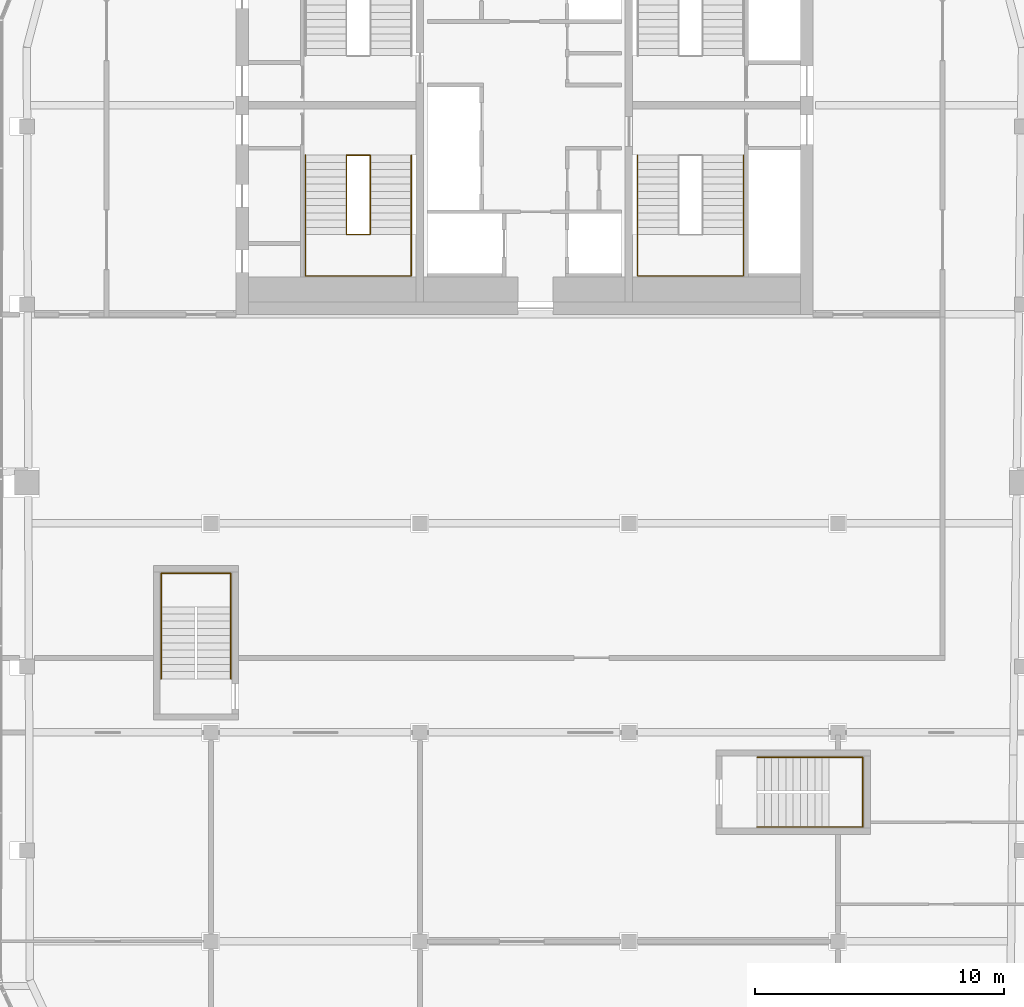
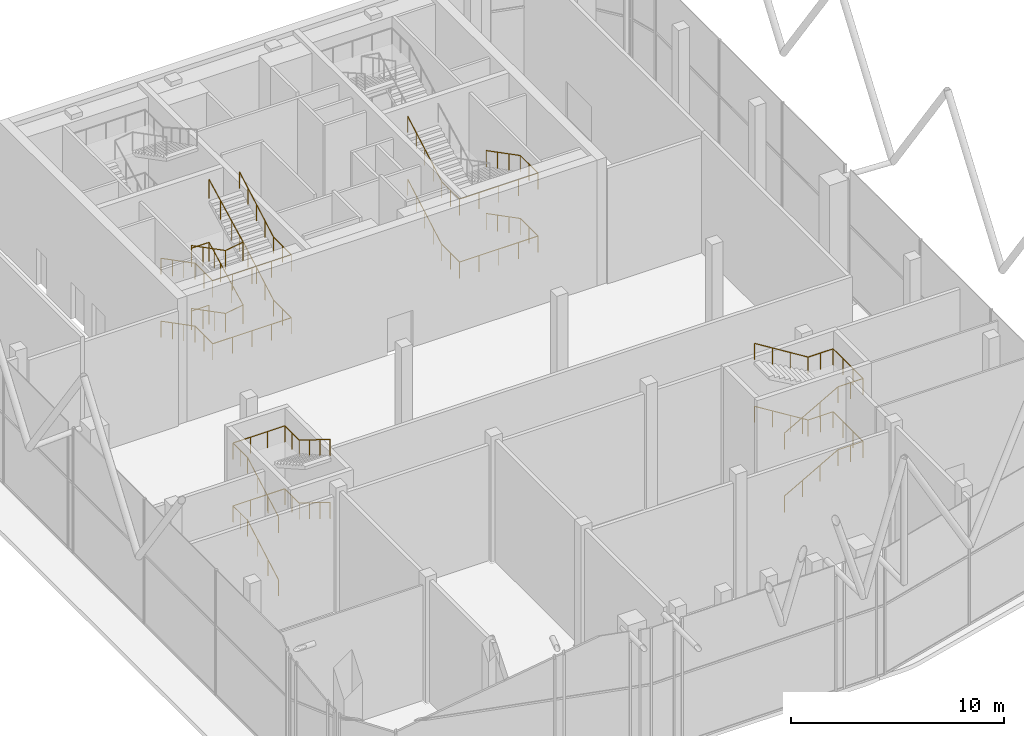
# One storey, part 24 of 25: 10 railings.
"""IFC4 building model written with IfcOpenShell, lengths in metres."""

from ifc_helpers import new_model, si_unit, direction, frame, origin, origin_2d, place, context, subcontext, project, spatial, circle, extrude, material, type_object, element, save


model = new_model("IFC4")

# Units and contexts
model_context = context("Model", 3, precision=1e-05, world=origin(), true_north=direction((0.0, 1.0)))
body_context = subcontext(model_context, "Body", "Model", "MODEL_VIEW")
ifc_project = project(units=[si_unit("LENGTHUNIT", "METRE"), si_unit("AREAUNIT", "SQUARE_METRE"), si_unit("VOLUMEUNIT", "CUBIC_METRE"), si_unit("PLANEANGLEUNIT", "RADIAN"), si_unit("MASSUNIT", "GRAM", prefix="KILO")], contexts=[model_context])

# Site, building, storey
site_placement = place(None, origin())
site = spatial("IfcSite", under=ifc_project, at=site_placement, CompositionType="ELEMENT")
building_placement = place(site_placement, origin())
building = spatial("IfcBuilding", under=site, at=building_placement, Name="Marenta Gate Hotel Tower", CompositionType="ELEMENT")
storey_placement = place(building_placement, frame((0.0, 0.0, 281.300048828125)))
storey = spatial("IfcBuildingStorey", under=building, at=storey_placement, Name="L65", CompositionType="ELEMENT", Elevation=281.300048828125)

# Railings
ifc_material_1 = material(Name="Stainless steel", Category="steel")
railing_type_1 = type_object("IfcRailingType", Name="Core stair handrail 950", PredefinedType="HANDRAIL", material=ifc_material_1)
railing_1_placement = place(storey_placement, frame((-8.800048828125, 6.39990234375, 0.14990234375)))
element("IfcRailing", 1, at=railing_1_placement, inside=storey, type_object=railing_type_1, Name="HR-950 L65-KR-ST1-1", PredefinedType="HANDRAIL", context=body_context, shape_type="SweptSolid", body=[
    extrude(circle(Radius=0.02392578125, at=origin_2d()), frame((0.0, 0.0, 0.92578125), z_axis=(0.0, -0.888197555067, 0.459461753765), x_axis=(1.0, 0.0, 0.0)), (0.0, 0.0, 1.0), 3.591552734375),
    extrude(circle(Radius=0.02392578125, at=origin_2d()), frame((0.0, -3.18994140625, 2.576171875), z_axis=(0.0, -1.0, 0.0), x_axis=(1.0, 0.0, 0.0)), (0.0, 0.0, 1.0), 1.659912109375),
    extrude(circle(Radius=0.02392578125, at=origin_2d()), frame((0.0, -4.849853515625, 2.576171875), z_axis=(1.0, 0.0, 0.0), x_axis=(0.0, 1.0, 0.0)), (0.0, 0.0, 1.0), 4.25),
    extrude(circle(Radius=0.02392578125, at=origin_2d()), frame((4.25, -4.849853515625, 2.576171875), z_axis=(0.0, 1.0, 0.0), x_axis=(-1.0, 0.0, 0.0)), (0.0, 0.0, 1.0), 1.659912109375),
    extrude(circle(Radius=0.02392578125, at=origin_2d()), frame((4.25, -3.18994140625, 2.576171875), z_axis=(0.0, 0.870937506535, 0.491393792911), x_axis=(-1.0, 0.0, 0.0)), (0.0, 0.0, 1.0), 3.66259765625),
    extrude(circle(Radius=0.02099609375, at=origin_2d()), origin(), (0.0, 0.0, 1.0), 0.90185546875),
    extrude(circle(Radius=0.02099609375, at=origin_2d()), frame((0.0, -1.063232421875, 0.550048828125)), (0.0, 0.0, 1.0), 0.90185546875),
    extrude(circle(Radius=0.02099609375, at=origin_2d()), frame((0.0, -2.126708984375, 1.10009765625)), (0.0, 0.0, 1.0), 0.90185546875),
    extrude(circle(Radius=0.02099609375, at=origin_2d()), frame((0.0, -3.18994140625, 1.650146484375)), (0.0, 0.0, 1.0), 0.90185546875),
    extrude(circle(Radius=0.02099609375, at=origin_2d()), frame((0.0, -4.02001953125, 1.650146484375)), (0.0, 0.0, 1.0), 0.90185546875),
    extrude(circle(Radius=0.02099609375, at=origin_2d()), frame((0.0, -4.849853515625, 1.650146484375)), (0.0, 0.0, 1.0), 0.90185546875),
    extrude(circle(Radius=0.02099609375, at=origin_2d()), frame((1.0625, -4.849853515625, 1.650146484375)), (0.0, 0.0, 1.0), 0.90185546875),
    extrude(circle(Radius=0.02099609375, at=origin_2d()), frame((2.125, -4.849853515625, 1.650146484375)), (0.0, 0.0, 1.0), 0.90185546875),
    extrude(circle(Radius=0.02099609375, at=origin_2d()), frame((3.1875, -4.849853515625, 1.650146484375)), (0.0, 0.0, 1.0), 0.90185546875),
    extrude(circle(Radius=0.02099609375, at=origin_2d()), frame((4.25, -4.849853515625, 1.650146484375)), (0.0, 0.0, 1.0), 0.90185546875),
    extrude(circle(Radius=0.02099609375, at=origin_2d()), frame((4.25, -4.02001953125, 1.650146484375)), (0.0, 0.0, 1.0), 0.90185546875),
    extrude(circle(Radius=0.02099609375, at=origin_2d()), frame((4.25, -3.18994140625, 1.650146484375)), (0.0, 0.0, 1.0), 0.90185546875),
    extrude(circle(Radius=0.02099609375, at=origin_2d()), frame((4.25, -2.392578125, 2.10009765625)), (0.0, 0.0, 1.0), 0.90185546875),
    extrude(circle(Radius=0.02099609375, at=origin_2d()), frame((4.25, -1.594970703125, 2.550048828125)), (0.0, 0.0, 1.0), 0.90185546875),
    extrude(circle(Radius=0.02099609375, at=origin_2d()), frame((4.25, -0.79736328125, 3.0)), (0.0, 0.0, 1.0), 0.90185546875),
    extrude(circle(Radius=0.02099609375, at=origin_2d()), frame((4.25, 0.0, 3.449951171875)), (0.0, 0.0, 1.0), 0.90185546875),
])
railing_2_placement = place(storey_placement, frame((-8.800048828125, 6.39990234375, 3.75)))
element("IfcRailing", 2, at=railing_2_placement, inside=storey, type_object=railing_type_1, Name="HR-950 L65-KR-ST1-3", PredefinedType="HANDRAIL", context=body_context, shape_type="SweptSolid", body=[
    extrude(circle(Radius=0.02392578125, at=origin_2d()), frame((0.0, 0.0, 0.92578125), z_axis=(0.0, -0.888225295554, 0.459408123936), x_axis=(1.0, 0.0, 0.0)), (0.0, 0.0, 1.0), 3.59130859375),
    extrude(circle(Radius=0.02392578125, at=origin_2d()), frame((0.0, -3.18994140625, 2.57568359375), z_axis=(0.0, -1.0, 0.0), x_axis=(1.0, 0.0, 0.0)), (0.0, 0.0, 1.0), 1.659912109375),
    extrude(circle(Radius=0.02392578125, at=origin_2d()), frame((0.0, -4.849853515625, 2.57568359375), z_axis=(1.0, 0.0, 0.0), x_axis=(0.0, 1.0, 0.0)), (0.0, 0.0, 1.0), 4.25),
    extrude(circle(Radius=0.02392578125, at=origin_2d()), frame((4.25, -4.849853515625, 2.57568359375), z_axis=(0.0, 1.0, 0.0), x_axis=(-1.0, 0.0, 0.0)), (0.0, 0.0, 1.0), 1.659912109375),
    extrude(circle(Radius=0.02392578125, at=origin_2d()), frame((4.25, -3.18994140625, 2.57568359375), z_axis=(0.0, 0.87090897868, 0.491444351738), x_axis=(-1.0, 0.0, 0.0)), (0.0, 0.0, 1.0), 3.662841796875),
    extrude(circle(Radius=0.02099609375, at=origin_2d()), origin(), (0.0, 0.0, 1.0), 0.90185546875),
    extrude(circle(Radius=0.02099609375, at=origin_2d()), frame((0.0, -1.063232421875, 0.550048828125)), (0.0, 0.0, 1.0), 0.90185546875),
    extrude(circle(Radius=0.02099609375, at=origin_2d()), frame((0.0, -2.126708984375, 1.099853515625)), (0.0, 0.0, 1.0), 0.90185546875),
    extrude(circle(Radius=0.02099609375, at=origin_2d()), frame((0.0, -3.18994140625, 1.64990234375)), (0.0, 0.0, 1.0), 0.90185546875),
    extrude(circle(Radius=0.02099609375, at=origin_2d()), frame((0.0, -4.02001953125, 1.64990234375)), (0.0, 0.0, 1.0), 0.90185546875),
    extrude(circle(Radius=0.02099609375, at=origin_2d()), frame((0.0, -4.849853515625, 1.64990234375)), (0.0, 0.0, 1.0), 0.90185546875),
    extrude(circle(Radius=0.02099609375, at=origin_2d()), frame((1.0625, -4.849853515625, 1.64990234375)), (0.0, 0.0, 1.0), 0.90185546875),
    extrude(circle(Radius=0.02099609375, at=origin_2d()), frame((2.125, -4.849853515625, 1.64990234375)), (0.0, 0.0, 1.0), 0.90185546875),
    extrude(circle(Radius=0.02099609375, at=origin_2d()), frame((3.1875, -4.849853515625, 1.64990234375)), (0.0, 0.0, 1.0), 0.90185546875),
    extrude(circle(Radius=0.02099609375, at=origin_2d()), frame((4.25, -4.849853515625, 1.64990234375)), (0.0, 0.0, 1.0), 0.90185546875),
    extrude(circle(Radius=0.02099609375, at=origin_2d()), frame((4.25, -4.02001953125, 1.64990234375)), (0.0, 0.0, 1.0), 0.90185546875),
    extrude(circle(Radius=0.02099609375, at=origin_2d()), frame((4.25, -3.18994140625, 1.64990234375)), (0.0, 0.0, 1.0), 0.90185546875),
    extrude(circle(Radius=0.02099609375, at=origin_2d()), frame((4.25, -2.392578125, 2.099853515625)), (0.0, 0.0, 1.0), 0.90185546875),
    extrude(circle(Radius=0.02099609375, at=origin_2d()), frame((4.25, -1.594970703125, 2.5498046875)), (0.0, 0.0, 1.0), 0.90185546875),
    extrude(circle(Radius=0.02099609375, at=origin_2d()), frame((4.25, -0.79736328125, 3.0)), (0.0, 0.0, 1.0), 0.90185546875),
    extrude(circle(Radius=0.02099609375, at=origin_2d()), frame((4.25, 0.0, 3.449951171875)), (0.0, 0.0, 1.0), 0.90185546875),
])
railing_3_placement = place(storey_placement, frame((8.800048828125, 6.39990234375, 0.14990234375)))
element("IfcRailing", 3, at=railing_3_placement, inside=storey, type_object=railing_type_1, Name="HR-950 L65-KR-ST3-1", PredefinedType="HANDRAIL", context=body_context, shape_type="SweptSolid", body=[
    extrude(circle(Radius=0.02392578125, at=origin_2d()), frame((0.0, 0.0, 0.92578125), z_axis=(0.0, -0.888197555067, 0.459461753765), x_axis=(1.0, 0.0, 0.0)), (0.0, 0.0, 1.0), 3.591552734375),
    extrude(circle(Radius=0.02392578125, at=origin_2d()), frame((0.0, -3.18994140625, 2.576171875), z_axis=(0.0, -1.0, 0.0), x_axis=(1.0, 0.0, 0.0)), (0.0, 0.0, 1.0), 1.659912109375),
    extrude(circle(Radius=0.02392578125, at=origin_2d()), frame((0.0, -4.849853515625, 2.576171875), z_axis=(-1.0, 0.0, 0.0), x_axis=(0.0, -1.0, 0.0)), (0.0, 0.0, 1.0), 4.25),
    extrude(circle(Radius=0.02392578125, at=origin_2d()), frame((-4.25, -4.849853515625, 2.576171875), z_axis=(0.0, 1.0, 0.0), x_axis=(-1.0, 0.0, 0.0)), (0.0, 0.0, 1.0), 1.659912109375),
    extrude(circle(Radius=0.02392578125, at=origin_2d()), frame((-4.25, -3.18994140625, 2.576171875), z_axis=(0.0, 0.870937506535, 0.491393792911), x_axis=(-1.0, 0.0, 0.0)), (0.0, 0.0, 1.0), 3.66259765625),
    extrude(circle(Radius=0.02099609375, at=origin_2d()), origin(), (0.0, 0.0, 1.0), 0.90185546875),
    extrude(circle(Radius=0.02099609375, at=origin_2d()), frame((0.0, -1.063232421875, 0.550048828125)), (0.0, 0.0, 1.0), 0.90185546875),
    extrude(circle(Radius=0.02099609375, at=origin_2d()), frame((0.0, -2.126708984375, 1.10009765625)), (0.0, 0.0, 1.0), 0.90185546875),
    extrude(circle(Radius=0.02099609375, at=origin_2d()), frame((0.0, -3.18994140625, 1.650146484375)), (0.0, 0.0, 1.0), 0.90185546875),
    extrude(circle(Radius=0.02099609375, at=origin_2d()), frame((0.0, -4.02001953125, 1.650146484375)), (0.0, 0.0, 1.0), 0.90185546875),
    extrude(circle(Radius=0.02099609375, at=origin_2d()), frame((0.0, -4.849853515625, 1.650146484375)), (0.0, 0.0, 1.0), 0.90185546875),
    extrude(circle(Radius=0.02099609375, at=origin_2d()), frame((-1.0625, -4.849853515625, 1.650146484375)), (0.0, 0.0, 1.0), 0.90185546875),
    extrude(circle(Radius=0.02099609375, at=origin_2d()), frame((-2.125, -4.849853515625, 1.650146484375)), (0.0, 0.0, 1.0), 0.90185546875),
    extrude(circle(Radius=0.02099609375, at=origin_2d()), frame((-3.1875, -4.849853515625, 1.650146484375)), (0.0, 0.0, 1.0), 0.90185546875),
    extrude(circle(Radius=0.02099609375, at=origin_2d()), frame((-4.25, -4.849853515625, 1.650146484375)), (0.0, 0.0, 1.0), 0.90185546875),
    extrude(circle(Radius=0.02099609375, at=origin_2d()), frame((-4.25, -4.02001953125, 1.650146484375)), (0.0, 0.0, 1.0), 0.90185546875),
    extrude(circle(Radius=0.02099609375, at=origin_2d()), frame((-4.25, -3.18994140625, 1.650146484375)), (0.0, 0.0, 1.0), 0.90185546875),
    extrude(circle(Radius=0.02099609375, at=origin_2d()), frame((-4.25, -2.392578125, 2.10009765625)), (0.0, 0.0, 1.0), 0.90185546875),
    extrude(circle(Radius=0.02099609375, at=origin_2d()), frame((-4.25, -1.594970703125, 2.550048828125)), (0.0, 0.0, 1.0), 0.90185546875),
    extrude(circle(Radius=0.02099609375, at=origin_2d()), frame((-4.25, -0.79736328125, 3.0)), (0.0, 0.0, 1.0), 0.90185546875),
    extrude(circle(Radius=0.02099609375, at=origin_2d()), frame((-4.25, 0.0, 3.449951171875)), (0.0, 0.0, 1.0), 0.90185546875),
])
railing_4_placement = place(storey_placement, frame((8.800048828125, 6.39990234375, 3.75)))
element("IfcRailing", 4, at=railing_4_placement, inside=storey, type_object=railing_type_1, Name="HR-950 L65-KR-ST3-3", PredefinedType="HANDRAIL", context=body_context, shape_type="SweptSolid", body=[
    extrude(circle(Radius=0.02392578125, at=origin_2d()), frame((0.0, 0.0, 0.92578125), z_axis=(0.0, -0.888225295554, 0.459408123936), x_axis=(1.0, 0.0, 0.0)), (0.0, 0.0, 1.0), 3.59130859375),
    extrude(circle(Radius=0.02392578125, at=origin_2d()), frame((0.0, -3.18994140625, 2.57568359375), z_axis=(0.0, -1.0, 0.0), x_axis=(1.0, 0.0, 0.0)), (0.0, 0.0, 1.0), 1.659912109375),
    extrude(circle(Radius=0.02392578125, at=origin_2d()), frame((0.0, -4.849853515625, 2.57568359375), z_axis=(-1.0, 0.0, 0.0), x_axis=(0.0, -1.0, 0.0)), (0.0, 0.0, 1.0), 4.25),
    extrude(circle(Radius=0.02392578125, at=origin_2d()), frame((-4.25, -4.849853515625, 2.57568359375), z_axis=(0.0, 1.0, 0.0), x_axis=(-1.0, 0.0, 0.0)), (0.0, 0.0, 1.0), 1.659912109375),
    extrude(circle(Radius=0.02392578125, at=origin_2d()), frame((-4.25, -3.18994140625, 2.57568359375), z_axis=(0.0, 0.87090897868, 0.491444351738), x_axis=(-1.0, 0.0, 0.0)), (0.0, 0.0, 1.0), 3.662841796875),
    extrude(circle(Radius=0.02099609375, at=origin_2d()), origin(), (0.0, 0.0, 1.0), 0.90185546875),
    extrude(circle(Radius=0.02099609375, at=origin_2d()), frame((0.0, -1.063232421875, 0.550048828125)), (0.0, 0.0, 1.0), 0.90185546875),
    extrude(circle(Radius=0.02099609375, at=origin_2d()), frame((0.0, -2.126708984375, 1.099853515625)), (0.0, 0.0, 1.0), 0.90185546875),
    extrude(circle(Radius=0.02099609375, at=origin_2d()), frame((0.0, -3.18994140625, 1.64990234375)), (0.0, 0.0, 1.0), 0.90185546875),
    extrude(circle(Radius=0.02099609375, at=origin_2d()), frame((0.0, -4.02001953125, 1.64990234375)), (0.0, 0.0, 1.0), 0.90185546875),
    extrude(circle(Radius=0.02099609375, at=origin_2d()), frame((0.0, -4.849853515625, 1.64990234375)), (0.0, 0.0, 1.0), 0.90185546875),
    extrude(circle(Radius=0.02099609375, at=origin_2d()), frame((-1.0625, -4.849853515625, 1.64990234375)), (0.0, 0.0, 1.0), 0.90185546875),
    extrude(circle(Radius=0.02099609375, at=origin_2d()), frame((-2.125, -4.849853515625, 1.64990234375)), (0.0, 0.0, 1.0), 0.90185546875),
    extrude(circle(Radius=0.02099609375, at=origin_2d()), frame((-3.1875, -4.849853515625, 1.64990234375)), (0.0, 0.0, 1.0), 0.90185546875),
    extrude(circle(Radius=0.02099609375, at=origin_2d()), frame((-4.25, -4.849853515625, 1.64990234375)), (0.0, 0.0, 1.0), 0.90185546875),
    extrude(circle(Radius=0.02099609375, at=origin_2d()), frame((-4.25, -4.02001953125, 1.64990234375)), (0.0, 0.0, 1.0), 0.90185546875),
    extrude(circle(Radius=0.02099609375, at=origin_2d()), frame((-4.25, -3.18994140625, 1.64990234375)), (0.0, 0.0, 1.0), 0.90185546875),
    extrude(circle(Radius=0.02099609375, at=origin_2d()), frame((-4.25, -2.392578125, 2.099853515625)), (0.0, 0.0, 1.0), 0.90185546875),
    extrude(circle(Radius=0.02099609375, at=origin_2d()), frame((-4.25, -1.594970703125, 2.5498046875)), (0.0, 0.0, 1.0), 0.90185546875),
    extrude(circle(Radius=0.02099609375, at=origin_2d()), frame((-4.25, -0.79736328125, 3.0)), (0.0, 0.0, 1.0), 0.90185546875),
    extrude(circle(Radius=0.02099609375, at=origin_2d()), frame((-4.25, 0.0, 3.449951171875)), (0.0, 0.0, 1.0), 0.90185546875),
])
railing_5_placement = place(storey_placement, frame((9.35009765625, -20.60009765625, 0.16357421875)))
element("IfcRailing", 5, at=railing_5_placement, inside=storey, type_object=railing_type_1, Name="HR-950 L65-RS-Z4-1-KR-1", PredefinedType="HANDRAIL", context=body_context, shape_type="SweptSolid", body=[
    extrude(circle(Radius=0.02392578125, at=origin_2d()), frame((0.0, 0.0, 0.92578125), z_axis=(0.870897200241, 0.0, 0.491465224214), x_axis=(0.0, 1.0, 0.0)), (0.0, 0.0, 1.0), 3.329833984375),
    extrude(circle(Radius=0.02392578125, at=origin_2d()), frame((2.89990234375, 0.0, 2.5625), z_axis=(1.0, 0.0, 0.0), x_axis=(0.0, 1.0, 0.0)), (0.0, 0.0, 1.0), 1.35009765625),
    extrude(circle(Radius=0.02392578125, at=origin_2d()), frame((4.25, 0.0, 2.5625), z_axis=(0.0, 1.0, 0.0), x_axis=(-1.0, 0.0, 0.0)), (0.0, 0.0, 1.0), 2.800048828125),
    extrude(circle(Radius=0.02392578125, at=origin_2d()), frame((4.25, 2.800048828125, 2.5625), z_axis=(-1.0, 0.0, 0.0), x_axis=(0.0, -1.0, 0.0)), (0.0, 0.0, 1.0), 1.35009765625),
    extrude(circle(Radius=0.02392578125, at=origin_2d()), frame((2.89990234375, 2.800048828125, 2.5625), z_axis=(-0.849657849183, 0.0, 0.527334371458), x_axis=(0.0, -1.0, 0.0)), (0.0, 0.0, 1.0), 3.4130859375),
    extrude(circle(Radius=0.02099609375, at=origin_2d()), origin(), (0.0, 0.0, 1.0), 0.90185546875),
    extrude(circle(Radius=0.02099609375, at=origin_2d()), frame((0.966552734375, 0.0, 0.54541015625)), (0.0, 0.0, 1.0), 0.90185546875),
    extrude(circle(Radius=0.02099609375, at=origin_2d()), frame((1.933349609375, 0.0, 1.091064453125)), (0.0, 0.0, 1.0), 0.90185546875),
    extrude(circle(Radius=0.02099609375, at=origin_2d()), frame((2.89990234375, 0.0, 1.636474609375)), (0.0, 0.0, 1.0), 0.90185546875),
    extrude(circle(Radius=0.02099609375, at=origin_2d()), frame((3.574951171875, 0.0, 1.636474609375)), (0.0, 0.0, 1.0), 0.90185546875),
    extrude(circle(Radius=0.02099609375, at=origin_2d()), frame((4.25, 0.0, 1.636474609375)), (0.0, 0.0, 1.0), 0.90185546875),
    extrude(circle(Radius=0.02099609375, at=origin_2d()), frame((4.25, 0.933349609375, 1.636474609375)), (0.0, 0.0, 1.0), 0.90185546875),
    extrude(circle(Radius=0.02099609375, at=origin_2d()), frame((4.25, 1.86669921875, 1.636474609375)), (0.0, 0.0, 1.0), 0.90185546875),
    extrude(circle(Radius=0.02099609375, at=origin_2d()), frame((4.25, 2.800048828125, 1.636474609375)), (0.0, 0.0, 1.0), 0.90185546875),
    extrude(circle(Radius=0.02099609375, at=origin_2d()), frame((3.574951171875, 2.800048828125, 1.636474609375)), (0.0, 0.0, 1.0), 0.90185546875),
    extrude(circle(Radius=0.02099609375, at=origin_2d()), frame((2.89990234375, 2.800048828125, 1.636474609375)), (0.0, 0.0, 1.0), 0.90185546875),
    extrude(circle(Radius=0.02099609375, at=origin_2d()), frame((1.933349609375, 2.800048828125, 2.236328125)), (0.0, 0.0, 1.0), 0.90185546875),
    extrude(circle(Radius=0.02099609375, at=origin_2d()), frame((0.966552734375, 2.800048828125, 2.83642578125)), (0.0, 0.0, 1.0), 0.90185546875),
    extrude(circle(Radius=0.02099609375, at=origin_2d()), frame((0.0, 2.800048828125, 3.436279296875)), (0.0, 0.0, 1.0), 0.90185546875),
])
railing_6_placement = place(storey_placement, frame((9.35009765625, -20.60009765625, 3.763671875)))
element("IfcRailing", 6, at=railing_6_placement, inside=storey, type_object=railing_type_1, Name="HR-950 L65-RS-Z4-1-KR-2", PredefinedType="HANDRAIL", context=body_context, shape_type="SweptSolid", body=[
    extrude(circle(Radius=0.02392578125, at=origin_2d()), frame((0.0, 0.0, 0.92578125), z_axis=(0.870928581787, 0.0, 0.491409610636), x_axis=(0.0, 1.0, 0.0)), (0.0, 0.0, 1.0), 3.32958984375),
    extrude(circle(Radius=0.02392578125, at=origin_2d()), frame((2.89990234375, 0.0, 2.56201171875), z_axis=(1.0, 0.0, 0.0), x_axis=(0.0, 1.0, 0.0)), (0.0, 0.0, 1.0), 1.35009765625),
    extrude(circle(Radius=0.02392578125, at=origin_2d()), frame((4.25, 0.0, 2.56201171875), z_axis=(0.0, 1.0, 0.0), x_axis=(-1.0, 0.0, 0.0)), (0.0, 0.0, 1.0), 2.800048828125),
    extrude(circle(Radius=0.02392578125, at=origin_2d()), frame((4.25, 2.800048828125, 2.56201171875), z_axis=(-1.0, 0.0, 0.0), x_axis=(0.0, -1.0, 0.0)), (0.0, 0.0, 1.0), 1.35009765625),
    extrude(circle(Radius=0.02392578125, at=origin_2d()), frame((2.89990234375, 2.800048828125, 2.56201171875), z_axis=(-0.849625798611, 0.0, 0.527386008853), x_axis=(0.0, -1.0, 0.0)), (0.0, 0.0, 1.0), 3.4130859375),
    extrude(circle(Radius=0.02099609375, at=origin_2d()), origin(), (0.0, 0.0, 1.0), 0.90185546875),
    extrude(circle(Radius=0.02099609375, at=origin_2d()), frame((0.966552734375, 0.0, 0.54541015625)), (0.0, 0.0, 1.0), 0.90185546875),
    extrude(circle(Radius=0.02099609375, at=origin_2d()), frame((1.933349609375, 0.0, 1.0908203125)), (0.0, 0.0, 1.0), 0.90185546875),
    extrude(circle(Radius=0.02099609375, at=origin_2d()), frame((2.89990234375, 0.0, 1.63623046875)), (0.0, 0.0, 1.0), 0.90185546875),
    extrude(circle(Radius=0.02099609375, at=origin_2d()), frame((3.574951171875, 0.0, 1.63623046875)), (0.0, 0.0, 1.0), 0.90185546875),
    extrude(circle(Radius=0.02099609375, at=origin_2d()), frame((4.25, 0.0, 1.63623046875)), (0.0, 0.0, 1.0), 0.90185546875),
    extrude(circle(Radius=0.02099609375, at=origin_2d()), frame((4.25, 0.933349609375, 1.63623046875)), (0.0, 0.0, 1.0), 0.90185546875),
    extrude(circle(Radius=0.02099609375, at=origin_2d()), frame((4.25, 1.86669921875, 1.63623046875)), (0.0, 0.0, 1.0), 0.90185546875),
    extrude(circle(Radius=0.02099609375, at=origin_2d()), frame((4.25, 2.800048828125, 1.63623046875)), (0.0, 0.0, 1.0), 0.90185546875),
    extrude(circle(Radius=0.02099609375, at=origin_2d()), frame((3.574951171875, 2.800048828125, 1.63623046875)), (0.0, 0.0, 1.0), 0.90185546875),
    extrude(circle(Radius=0.02099609375, at=origin_2d()), frame((2.89990234375, 2.800048828125, 1.63623046875)), (0.0, 0.0, 1.0), 0.90185546875),
    extrude(circle(Radius=0.02099609375, at=origin_2d()), frame((1.933349609375, 2.800048828125, 2.236328125)), (0.0, 0.0, 1.0), 0.90185546875),
    extrude(circle(Radius=0.02099609375, at=origin_2d()), frame((0.966552734375, 2.800048828125, 2.836181640625)), (0.0, 0.0, 1.0), 0.90185546875),
    extrude(circle(Radius=0.02099609375, at=origin_2d()), frame((0.0, 2.800048828125, 3.436279296875)), (0.0, 0.0, 1.0), 0.90185546875),
])
railing_7_placement = place(storey_placement, frame((-14.60009765625, -14.64990234375, 0.16357421875)))
element("IfcRailing", 7, at=railing_7_placement, inside=storey, type_object=railing_type_1, Name="HR-950 L65-RS-Z4-2-KR-1", PredefinedType="HANDRAIL", context=body_context, shape_type="SweptSolid", body=[
    extrude(circle(Radius=0.02392578125, at=origin_2d()), frame((0.0, 0.0, 0.92578125), z_axis=(0.0, 0.870897200241, 0.491465224214), x_axis=(-1.0, 0.0, 0.0)), (0.0, 0.0, 1.0), 3.329833984375),
    extrude(circle(Radius=0.02392578125, at=origin_2d()), frame((0.0, 2.89990234375, 2.5625), z_axis=(0.0, 1.0, 0.0), x_axis=(-1.0, 0.0, 0.0)), (0.0, 0.0, 1.0), 1.35009765625),
    extrude(circle(Radius=0.02392578125, at=origin_2d()), frame((0.0, 4.25, 2.5625), z_axis=(1.0, 0.0, 0.0), x_axis=(0.0, 1.0, 0.0)), (0.0, 0.0, 1.0), 2.800048828125),
    extrude(circle(Radius=0.02392578125, at=origin_2d()), frame((2.800048828125, 4.25, 2.5625), z_axis=(0.0, -1.0, 0.0), x_axis=(1.0, 0.0, 0.0)), (0.0, 0.0, 1.0), 1.35009765625),
    extrude(circle(Radius=0.02392578125, at=origin_2d()), frame((2.800048828125, 2.89990234375, 2.5625), z_axis=(0.0, -0.849657849183, 0.527334371458), x_axis=(1.0, 0.0, 0.0)), (0.0, 0.0, 1.0), 3.4130859375),
    extrude(circle(Radius=0.02099609375, at=origin_2d()), origin(), (0.0, 0.0, 1.0), 0.90185546875),
    extrude(circle(Radius=0.02099609375, at=origin_2d()), frame((0.0, 0.966552734375, 0.54541015625)), (0.0, 0.0, 1.0), 0.90185546875),
    extrude(circle(Radius=0.02099609375, at=origin_2d()), frame((0.0, 1.933349609375, 1.091064453125)), (0.0, 0.0, 1.0), 0.90185546875),
    extrude(circle(Radius=0.02099609375, at=origin_2d()), frame((0.0, 2.89990234375, 1.636474609375)), (0.0, 0.0, 1.0), 0.90185546875),
    extrude(circle(Radius=0.02099609375, at=origin_2d()), frame((0.0, 3.574951171875, 1.636474609375)), (0.0, 0.0, 1.0), 0.90185546875),
    extrude(circle(Radius=0.02099609375, at=origin_2d()), frame((0.0, 4.25, 1.636474609375)), (0.0, 0.0, 1.0), 0.90185546875),
    extrude(circle(Radius=0.02099609375, at=origin_2d()), frame((0.933349609375, 4.25, 1.636474609375)), (0.0, 0.0, 1.0), 0.90185546875),
    extrude(circle(Radius=0.02099609375, at=origin_2d()), frame((1.86669921875, 4.25, 1.636474609375)), (0.0, 0.0, 1.0), 0.90185546875),
    extrude(circle(Radius=0.02099609375, at=origin_2d()), frame((2.800048828125, 4.25, 1.636474609375)), (0.0, 0.0, 1.0), 0.90185546875),
    extrude(circle(Radius=0.02099609375, at=origin_2d()), frame((2.800048828125, 3.574951171875, 1.636474609375)), (0.0, 0.0, 1.0), 0.90185546875),
    extrude(circle(Radius=0.02099609375, at=origin_2d()), frame((2.800048828125, 2.89990234375, 1.636474609375)), (0.0, 0.0, 1.0), 0.90185546875),
    extrude(circle(Radius=0.02099609375, at=origin_2d()), frame((2.800048828125, 1.933349609375, 2.236328125)), (0.0, 0.0, 1.0), 0.90185546875),
    extrude(circle(Radius=0.02099609375, at=origin_2d()), frame((2.800048828125, 0.966552734375, 2.83642578125)), (0.0, 0.0, 1.0), 0.90185546875),
    extrude(circle(Radius=0.02099609375, at=origin_2d()), frame((2.800048828125, 0.0, 3.436279296875)), (0.0, 0.0, 1.0), 0.90185546875),
])
railing_8_placement = place(storey_placement, frame((-14.60009765625, -14.64990234375, 3.763671875)))
element("IfcRailing", 8, at=railing_8_placement, inside=storey, type_object=railing_type_1, Name="HR-950 L65-RS-Z4-2-KR-2", PredefinedType="HANDRAIL", context=body_context, shape_type="SweptSolid", body=[
    extrude(circle(Radius=0.02392578125, at=origin_2d()), frame((0.0, 0.0, 0.92578125), z_axis=(0.0, 0.870928581787, 0.491409610636), x_axis=(-1.0, 0.0, 0.0)), (0.0, 0.0, 1.0), 3.32958984375),
    extrude(circle(Radius=0.02392578125, at=origin_2d()), frame((0.0, 2.89990234375, 2.56201171875), z_axis=(0.0, 1.0, 0.0), x_axis=(-1.0, 0.0, 0.0)), (0.0, 0.0, 1.0), 1.35009765625),
    extrude(circle(Radius=0.02392578125, at=origin_2d()), frame((0.0, 4.25, 2.56201171875), z_axis=(1.0, 0.0, 0.0), x_axis=(0.0, 1.0, 0.0)), (0.0, 0.0, 1.0), 2.800048828125),
    extrude(circle(Radius=0.02392578125, at=origin_2d()), frame((2.800048828125, 4.25, 2.56201171875), z_axis=(0.0, -1.0, 0.0), x_axis=(1.0, 0.0, 0.0)), (0.0, 0.0, 1.0), 1.35009765625),
    extrude(circle(Radius=0.02392578125, at=origin_2d()), frame((2.800048828125, 2.89990234375, 2.56201171875), z_axis=(0.0, -0.849625798611, 0.527386008853), x_axis=(1.0, 0.0, 0.0)), (0.0, 0.0, 1.0), 3.4130859375),
    extrude(circle(Radius=0.02099609375, at=origin_2d()), origin(), (0.0, 0.0, 1.0), 0.90185546875),
    extrude(circle(Radius=0.02099609375, at=origin_2d()), frame((0.0, 0.966552734375, 0.54541015625)), (0.0, 0.0, 1.0), 0.90185546875),
    extrude(circle(Radius=0.02099609375, at=origin_2d()), frame((0.0, 1.933349609375, 1.0908203125)), (0.0, 0.0, 1.0), 0.90185546875),
    extrude(circle(Radius=0.02099609375, at=origin_2d()), frame((0.0, 2.89990234375, 1.63623046875)), (0.0, 0.0, 1.0), 0.90185546875),
    extrude(circle(Radius=0.02099609375, at=origin_2d()), frame((0.0, 3.574951171875, 1.63623046875)), (0.0, 0.0, 1.0), 0.90185546875),
    extrude(circle(Radius=0.02099609375, at=origin_2d()), frame((0.0, 4.25, 1.63623046875)), (0.0, 0.0, 1.0), 0.90185546875),
    extrude(circle(Radius=0.02099609375, at=origin_2d()), frame((0.933349609375, 4.25, 1.63623046875)), (0.0, 0.0, 1.0), 0.90185546875),
    extrude(circle(Radius=0.02099609375, at=origin_2d()), frame((1.86669921875, 4.25, 1.63623046875)), (0.0, 0.0, 1.0), 0.90185546875),
    extrude(circle(Radius=0.02099609375, at=origin_2d()), frame((2.800048828125, 4.25, 1.63623046875)), (0.0, 0.0, 1.0), 0.90185546875),
    extrude(circle(Radius=0.02099609375, at=origin_2d()), frame((2.800048828125, 3.574951171875, 1.63623046875)), (0.0, 0.0, 1.0), 0.90185546875),
    extrude(circle(Radius=0.02099609375, at=origin_2d()), frame((2.800048828125, 2.89990234375, 1.63623046875)), (0.0, 0.0, 1.0), 0.90185546875),
    extrude(circle(Radius=0.02099609375, at=origin_2d()), frame((2.800048828125, 1.933349609375, 2.236328125)), (0.0, 0.0, 1.0), 0.90185546875),
    extrude(circle(Radius=0.02099609375, at=origin_2d()), frame((2.800048828125, 0.966552734375, 2.836181640625)), (0.0, 0.0, 1.0), 0.90185546875),
    extrude(circle(Radius=0.02099609375, at=origin_2d()), frame((2.800048828125, 0.0, 3.436279296875)), (0.0, 0.0, 1.0), 0.90185546875),
])
ifc_material_2 = material(Name="Stainless steel", Category="steel")
railing_type_2 = type_object("IfcRailingType", Name="Core stair well guard 1100", PredefinedType="GUARDRAIL", material=ifc_material_2)
railing_9_placement = place(storey_placement, frame((-6.199951171875, 6.39990234375, 0.0)))
element("IfcRailing", 9, at=railing_9_placement, inside=storey, type_object=railing_type_2, Name="GR-1100 L65-KR-ST1-2", PredefinedType="GUARDRAIL", context=body_context, shape_type="SweptSolid", body=[
    extrude(circle(Radius=0.02392578125, at=origin_2d()), frame((0.0, 0.0, 1.076171875), z_axis=(-1.0, 0.0, 0.0), x_axis=(0.0, -1.0, 0.0)), (0.0, 0.0, 1.0), 0.949951171875),
    extrude(circle(Radius=0.02392578125, at=origin_2d()), frame((-0.949951171875, 0.0, 1.076171875), z_axis=(0.0, 0.0, 1.0), x_axis=(1.0, 0.0, 0.0)), (0.0, 0.0, 1.0), 0.14990234375),
    extrude(circle(Radius=0.02392578125, at=origin_2d()), frame((-0.949951171875, 0.0, 1.22607421875), z_axis=(0.0, -0.888197555067, 0.459461753765), x_axis=(1.0, 0.0, 0.0)), (0.0, 0.0, 1.0), 3.591552734375),
    extrude(circle(Radius=0.02392578125, at=origin_2d()), frame((-0.949951171875, -3.18994140625, 2.8759765625), z_axis=(0.987777369502, 0.0, 0.15587131968), x_axis=(0.0, 1.0, 0.0)), (0.0, 0.0, 1.0), 0.961669921875),
    extrude(circle(Radius=0.02392578125, at=origin_2d()), frame((0.0, -3.18994140625, 3.02587890625), z_axis=(0.0, 0.888225295554, 0.459408123936), x_axis=(-1.0, 0.0, 0.0)), (0.0, 0.0, 1.0), 3.59130859375),
    extrude(circle(Radius=0.02099609375, at=origin_2d()), origin(), (0.0, 0.0, 1.0), 1.052001953125),
    extrude(circle(Radius=0.02099609375, at=origin_2d()), frame((-0.949951171875, 0.0, 0.0)), (0.0, 0.0, 1.0), 1.052001953125),
    extrude(circle(Radius=0.02099609375, at=origin_2d()), frame((-0.949951171875, 0.0, 0.14990234375)), (0.0, 0.0, 1.0), 1.052001953125),
    extrude(circle(Radius=0.02099609375, at=origin_2d()), frame((-0.949951171875, -1.063232421875, 0.699951171875)), (0.0, 0.0, 1.0), 1.052001953125),
    extrude(circle(Radius=0.02099609375, at=origin_2d()), frame((-0.949951171875, -2.126708984375, 1.25)), (0.0, 0.0, 1.0), 1.052001953125),
    extrude(circle(Radius=0.02099609375, at=origin_2d()), frame((-0.949951171875, -3.18994140625, 1.800048828125)), (0.0, 0.0, 1.0), 1.052001953125),
    extrude(circle(Radius=0.02099609375, at=origin_2d()), frame((0.0, -3.18994140625, 1.949951171875)), (0.0, 0.0, 1.0), 1.052001953125),
    extrude(circle(Radius=0.02099609375, at=origin_2d()), frame((0.0, -2.126708984375, 2.5)), (0.0, 0.0, 1.0), 1.052001953125),
    extrude(circle(Radius=0.02099609375, at=origin_2d()), frame((0.0, -1.063232421875, 3.0498046875)), (0.0, 0.0, 1.0), 1.052001953125),
    extrude(circle(Radius=0.02099609375, at=origin_2d()), frame((0.0, 0.0, 3.599853515625)), (0.0, 0.0, 1.0), 1.052001953125),
])
railing_10_placement = place(storey_placement, frame((-6.199951171875, 6.39990234375, 3.599853515625)))
element("IfcRailing", 10, at=railing_10_placement, inside=storey, type_object=railing_type_2, Name="GR-1100 L65-KR-ST1-4", PredefinedType="GUARDRAIL", context=body_context, shape_type="SweptSolid", body=[
    extrude(circle(Radius=0.02392578125, at=origin_2d()), frame((0.0, 0.0, 1.076171875), z_axis=(-1.0, 0.0, 0.0), x_axis=(0.0, -1.0, 0.0)), (0.0, 0.0, 1.0), 0.949951171875),
    extrude(circle(Radius=0.02392578125, at=origin_2d()), frame((-0.949951171875, 0.0, 1.076171875), z_axis=(0.0, 0.0, 1.0), x_axis=(1.0, 0.0, 0.0)), (0.0, 0.0, 1.0), 0.150146484375),
    extrude(circle(Radius=0.02392578125, at=origin_2d()), frame((-0.949951171875, 0.0, 1.22607421875), z_axis=(0.0, -0.888225295554, 0.459408123936), x_axis=(1.0, 0.0, 0.0)), (0.0, 0.0, 1.0), 3.59130859375),
    extrude(circle(Radius=0.02392578125, at=origin_2d()), frame((-0.949951171875, -3.18994140625, 2.8759765625), z_axis=(0.987738253826, 0.0, 0.156118999255), x_axis=(0.0, 1.0, 0.0)), (0.0, 0.0, 1.0), 0.961669921875),
    extrude(circle(Radius=0.02392578125, at=origin_2d()), frame((0.0, -3.18994140625, 3.0263671875), z_axis=(0.0, 0.888225295554, 0.459408123936), x_axis=(-1.0, 0.0, 0.0)), (0.0, 0.0, 1.0), 3.59130859375),
    extrude(circle(Radius=0.02099609375, at=origin_2d()), origin(), (0.0, 0.0, 1.0), 1.052001953125),
    extrude(circle(Radius=0.02099609375, at=origin_2d()), frame((-0.949951171875, 0.0, 0.0)), (0.0, 0.0, 1.0), 1.052001953125),
    extrude(circle(Radius=0.02099609375, at=origin_2d()), frame((-0.949951171875, 0.0, 0.150146484375)), (0.0, 0.0, 1.0), 1.052001953125),
    extrude(circle(Radius=0.02099609375, at=origin_2d()), frame((-0.949951171875, -1.063232421875, 0.7001953125)), (0.0, 0.0, 1.0), 1.052001953125),
    extrude(circle(Radius=0.02099609375, at=origin_2d()), frame((-0.949951171875, -2.126708984375, 1.25)), (0.0, 0.0, 1.0), 1.052001953125),
    extrude(circle(Radius=0.02099609375, at=origin_2d()), frame((-0.949951171875, -3.18994140625, 1.800048828125)), (0.0, 0.0, 1.0), 1.052001953125),
    extrude(circle(Radius=0.02099609375, at=origin_2d()), frame((0.0, -3.18994140625, 1.9501953125)), (0.0, 0.0, 1.0), 1.052001953125),
    extrude(circle(Radius=0.02099609375, at=origin_2d()), frame((0.0, -2.126708984375, 2.500244140625)), (0.0, 0.0, 1.0), 1.052001953125),
    extrude(circle(Radius=0.02099609375, at=origin_2d()), frame((0.0, -1.063232421875, 3.050048828125)), (0.0, 0.0, 1.0), 1.052001953125),
    extrude(circle(Radius=0.02099609375, at=origin_2d()), frame((0.0, 0.0, 3.60009765625)), (0.0, 0.0, 1.0), 1.052001953125),
])

save(model, "model.ifc")
